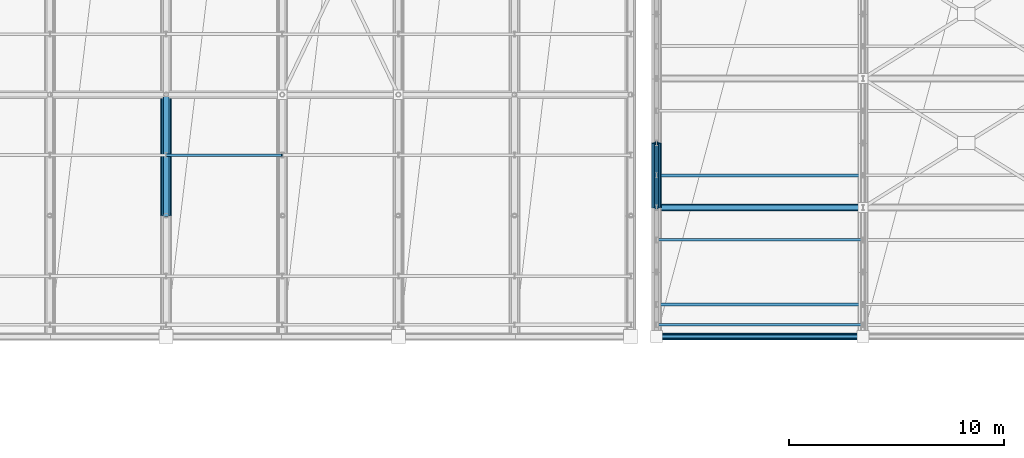
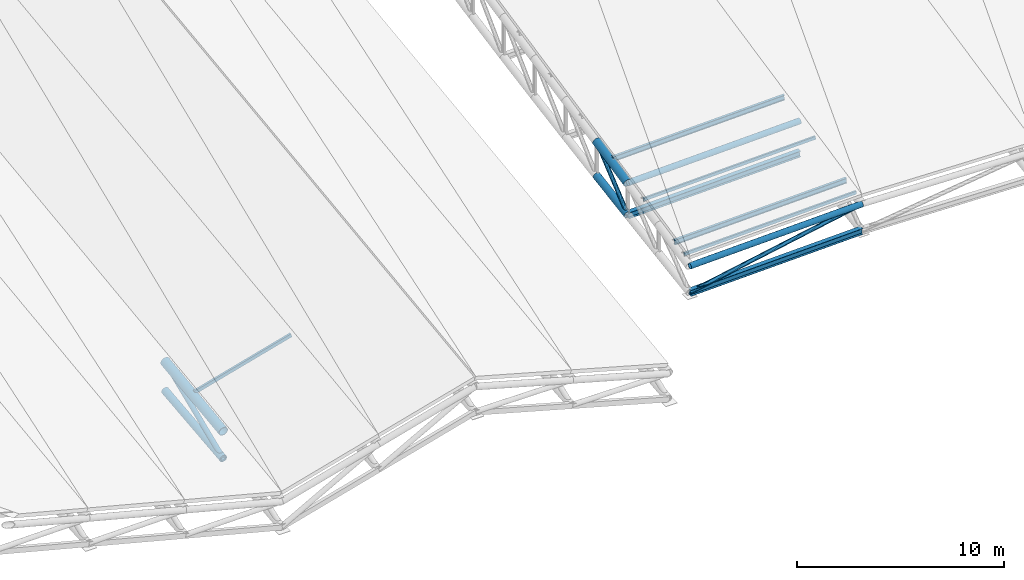
# One storey, part 33 of 109: 12 members, 4 beams.
"""IFC4 building model written with IfcOpenShell, lengths in metres."""

from ifc_helpers import new_model, si_unit, direction, frame, origin, origin_2d, place, context, subcontext, project, spatial, hollow_rectangle, hollow_circle, i_section, extrude, material, material_profile, profile_set, type_object, element, save


model = new_model("IFC4")

# Units and contexts
model_context = context("Model", 3, precision=1e-05, world=origin(), true_north=direction((0.0, 1.0)))
body_context = subcontext(model_context, "Body", "Model", "MODEL_VIEW")
ifc_project = project(units=[si_unit("LENGTHUNIT", "METRE"), si_unit("AREAUNIT", "SQUARE_METRE"), si_unit("VOLUMEUNIT", "CUBIC_METRE"), si_unit("PLANEANGLEUNIT", "RADIAN"), si_unit("MASSUNIT", "GRAM", prefix="KILO")], contexts=[model_context])

# Site, building, storey
site_placement = place(None, origin())
site = spatial("IfcSite", under=ifc_project, at=site_placement, CompositionType="ELEMENT")
building_placement = place(site_placement, origin())
building = spatial("IfcBuilding", under=site, at=building_placement, Name="Suirenkawa Promenade Aquatics Centre", CompositionType="ELEMENT")
storey_placement = place(building_placement, frame((0.0, 0.0, 22.800048828125)))
storey = spatial("IfcBuildingStorey", under=building, at=storey_placement, Name="ROOF", CompositionType="ELEMENT", Elevation=22.800048828125)

# Beams
ifc_material = material(Name="Steel IS 2062 E350 (Grade 350)", Category="steel")
ifc_material_profile_1 = material_profile(ifc_material, hollow_circle(Radius=0.202880859375, WallThickness=0.01806640625, at=origin_2d()), Name="CHS 406x18", Category="steel")
ifc_profile_set_1 = profile_set([ifc_material_profile_1], Name="Steel IS 2062 E350 (Grade 350)")
beam_type_1 = type_object("IfcBeamType", Name="BT-BC-CHS406", PredefinedType="BEAM", material=ifc_profile_set_1)
beam_1_placement = place(storey_placement, frame((133.199951171875, 56.02490234375, -15.880126953125), z_axis=(0.0, 0.99422460669, 0.107319296738), x_axis=(-1.0, 0.0, 0.0)))
element("IfcBeam", 1, at=beam_1_placement, inside=storey, type_object=beam_type_1, Name="ROOF TRUSS V1 bottom chord BC-01 BM-2258", PredefinedType="BEAM", context=body_context, shape_type="SweptSolid", body=[
    extrude(hollow_circle(Radius=0.202880859375, WallThickness=0.01806640625, at=origin_2d()), origin(), (0.0, 0.0, 1.0), 5.65771484375),
])
beam_2_placement = place(storey_placement, frame((156.0, 56.39990234375, -9.692138671875), z_axis=(0.0, 0.987278169946, 0.15900256334), x_axis=(-1.0, 0.0, 0.0)))
element("IfcBeam", 2, at=beam_2_placement, inside=storey, type_object=beam_type_1, Name="ROOF TRUSS V2 bottom chord BC-01 BM-2400", PredefinedType="BEAM", context=body_context, shape_type="SweptSolid", body=[
    extrude(hollow_circle(Radius=0.202880859375, WallThickness=0.01806640625, at=origin_2d()), origin(), (0.0, 0.0, 1.0), 3.03857421875),
])
ifc_material_profile_2 = material_profile(ifc_material, hollow_circle(Radius=0.22900390625, WallThickness=0.02001953125, at=origin_2d()), Name="CHS 458x20", Category="steel")
ifc_profile_set_2 = profile_set([ifc_material_profile_2], Name="Steel IS 2062 E350 (Grade 350)")
beam_type_2 = type_object("IfcBeamType", Name="BT-TC-CHS458", PredefinedType="BEAM", material=ifc_profile_set_2)
beam_3_placement = place(storey_placement, frame((156.0, 56.39990234375, -7.81298828125), z_axis=(0.0, 0.978452518953, 0.206471954886), x_axis=(-1.0, 0.0, 0.0)))
element("IfcBeam", 3, at=beam_3_placement, inside=storey, type_object=beam_type_2, Name="ROOF TRUSS V2 top chord TC-01 BM-2399", PredefinedType="BEAM", context=body_context, shape_type="SweptSolid", body=[
    extrude(hollow_circle(Radius=0.22900390625, WallThickness=0.02001953125, at=origin_2d()), origin(), (0.0, 0.0, 1.0), 3.066162109375),
])
ifc_material_profile_3 = material_profile(ifc_material, hollow_circle(Radius=0.25390625, WallThickness=0.02392578125, at=origin_2d()), Name="CHS 508x24", Category="steel")
ifc_profile_set_3 = profile_set([ifc_material_profile_3], Name="Steel IS 2062 E350 (Grade 350)")
beam_type_3 = type_object("IfcBeamType", Name="BT-TC-CHS508", PredefinedType="BEAM", material=ifc_profile_set_3)
beam_4_placement = place(storey_placement, frame((133.199951171875, 56.02490234375, -14.275146484375), z_axis=(0.0, 0.991793720609, 0.127848409297), x_axis=(-1.0, 0.0, 0.0)))
element("IfcBeam", 4, at=beam_4_placement, inside=storey, type_object=beam_type_3, Name="ROOF TRUSS V1 top chord TC-02 BM-2257", PredefinedType="BEAM", context=body_context, shape_type="SweptSolid", body=[
    extrude(hollow_circle(Radius=0.25390625, WallThickness=0.02392578125, at=origin_2d()), origin(), (0.0, 0.0, 1.0), 5.671630859375),
])

# Members
ifc_material_profile_4 = material_profile(ifc_material, hollow_circle(Radius=0.162109375, WallThickness=0.013916015625, at=origin_2d()), Name="CHS 324x14", Category="steel")
ifc_profile_set_4 = profile_set([ifc_material_profile_4], Name="Steel IS 2062 E350 (Grade 350)")
member_type_1 = type_object("IfcMemberType", Name="MT-CHORD-CHS324", PredefinedType="CHORD", material=ifc_profile_set_4)
for number, where, z_axis, x_axis, name in (
    (5, (156.0, 50.39990234375, -9.080078125), (0.999511927284, 0.0, 0.031239513723), (0.0, 1.0, 0.0), "ROOF TRUSS V2 eave top chord CH-01 MB-1146"),
    (6, (156.0, 56.39990234375, -7.81298828125), (0.999511927284, 0.0, 0.031239513723), (0.0, 1.0, 0.0), "ROOF TRUSS V2 tie chord CH-01 MB-1170"),
):
    element("IfcMember", number, at=place(storey_placement, frame(where, z_axis=z_axis, x_axis=x_axis)), inside=storey, type_object=member_type_1, Name=name, PredefinedType="CHORD", context=body_context, shape_type="SweptSolid", body=[
        extrude(hollow_circle(Radius=0.162109375, WallThickness=0.013916015625, at=origin_2d()), origin(), (0.0, 0.0, 1.0), 9.604736328125),
    ])
ifc_material_profile_5 = material_profile(ifc_material, i_section(OverallWidth=0.25, OverallDepth=0.35009765625, WebThickness=0.010009765625, FlangeThickness=0.011962890625, at=origin_2d()), Name="ISHB 350", Category="steel")
ifc_profile_set_5 = profile_set([ifc_material_profile_5], Name="Steel IS 2062 E350 (Grade 350)")
member_type_2 = type_object("IfcMemberType", Name="MT-CHORD-ISHB350", PredefinedType="CHORD", material=ifc_profile_set_5)
for number, where, z_axis, x_axis, name in (
    (7, (156.0, 50.39990234375, -10.630126953125), (0.999511927284, 0.0, 0.031239513723), (0.0, 1.0, 0.0), "ROOF TRUSS V2 eave bottom chord CH-04 MB-1147"),
    (8, (156.0, 56.39990234375, -9.692138671875), (0.999511927284, 0.0, 0.031239513723), (0.0, 1.0, 0.0), "ROOF TRUSS V2 bottom tie CH-04 MB-1171"),
):
    element("IfcMember", number, at=place(storey_placement, frame(where, z_axis=z_axis, x_axis=x_axis)), inside=storey, type_object=member_type_2, Name=name, PredefinedType="CHORD", context=body_context, shape_type="SweptSolid", body=[
        extrude(i_section(OverallWidth=0.25, OverallDepth=0.35009765625, WebThickness=0.010009765625, FlangeThickness=0.011962890625, at=origin_2d()), origin(), (0.0, 0.0, 1.0), 9.604736328125),
    ])
ifc_material_profile_6 = material_profile(ifc_material, i_section(OverallWidth=0.139892578125, OverallDepth=0.300048828125, WebThickness=0.008056640625, FlangeThickness=0.012939453125, at=origin_2d()), Name="ISMB 300", Category="steel")
ifc_profile_set_6 = profile_set([ifc_material_profile_6], Name="Steel IS 2062 E350 (Grade 350)")
member_type_3 = type_object("IfcMemberType", Name="MT-PURLIN-ISMB300", PredefinedType="PURLIN", material=ifc_profile_set_6)
for number, where, z_axis, x_axis, name in (
    (9, (156.0, 51.89990234375, -8.5771484375), (0.999511927284, 0.0, 0.031239513723), (0.0, 1.0, 0.0), "ROOF TRUSS Roof purlin PU-05 MB-2410"),
    (10, (156.0, 57.89990234375, -7.31005859375), (0.999511927284, 0.0, 0.031239513723), (0.0, 1.0, 0.0), "ROOF TRUSS Roof purlin PU-05 MB-2416"),
):
    element("IfcMember", number, at=place(storey_placement, frame(where, z_axis=z_axis, x_axis=x_axis)), inside=storey, type_object=member_type_3, Name=name, PredefinedType="PURLIN", context=body_context, shape_type="SweptSolid", body=[
        extrude(i_section(OverallWidth=0.139892578125, OverallDepth=0.300048828125, WebThickness=0.008056640625, FlangeThickness=0.012939453125, at=origin_2d()), origin(), (0.0, 0.0, 1.0), 9.604736328125),
    ])
ifc_material_profile_7 = material_profile(ifc_material, hollow_rectangle(XDim=0.10009765625, YDim=0.179931640625, WallThickness=0.008056640625, at=origin_2d()), Name="RHS 180x100x8", Category="steel")
ifc_profile_set_7 = profile_set([ifc_material_profile_7], Name="Steel IS 2062 E350 (Grade 350)")
member_type_4 = type_object("IfcMemberType", Name="MT-PURLIN-RHS180", PredefinedType="PURLIN", material=ifc_profile_set_7)
for number, where, z_axis, x_axis, name in (
    (11, (156.0, 50.949951171875, -8.713134765625), (0.999511927284, 0.0, 0.031239513723), (0.0, 1.0, 0.0), "ROOF TRUSS Roof purlin PU-01 MB-2407"),
    (12, (156.0, 54.89990234375, -7.879150390625), (0.999511927284, 0.0, 0.031239513723), (0.0, 1.0, 0.0), "ROOF TRUSS Roof purlin PU-01 MB-2413"),
):
    element("IfcMember", number, at=place(storey_placement, frame(where, z_axis=z_axis, x_axis=x_axis)), inside=storey, type_object=member_type_4, Name=name, PredefinedType="PURLIN", context=body_context, shape_type="SweptSolid", body=[
        extrude(hollow_rectangle(XDim=0.10009765625, YDim=0.179931640625, WallThickness=0.008056640625, at=origin_2d()), origin(), (0.0, 0.0, 1.0), 9.604736328125),
    ])
ifc_material_profile_8 = material_profile(ifc_material, hollow_rectangle(XDim=0.1201171875, YDim=0.199951171875, WallThickness=0.008056640625, at=origin_2d()), Name="RHS 200x120x8", Category="steel")
ifc_profile_set_8 = profile_set([ifc_material_profile_8], Name="Steel IS 2062 E350 (Grade 350)")
member_type_5 = type_object("IfcMemberType", Name="MT-PURLIN-RHS200", PredefinedType="PURLIN", material=ifc_profile_set_8)
member_1_placement = place(storey_placement, frame((133.199951171875, 58.8369140625, -13.666015625), z_axis=(0.963519781844, 0.0, 0.267637123724), x_axis=(0.0, 1.0, 0.0)))
element("IfcMember", 13, at=member_1_placement, inside=storey, type_object=member_type_5, Name="ROOF TRUSS Roof purlin PU-02 MB-2267", PredefinedType="PURLIN", context=body_context, shape_type="SweptSolid", body=[
    extrude(hollow_rectangle(XDim=0.1201171875, YDim=0.199951171875, WallThickness=0.008056640625, at=origin_2d()), origin(), (0.0, 0.0, 1.0), 5.6044921875),
])
ifc_material_profile_9 = material_profile(ifc_material, hollow_circle(Radius=0.110107421875, WallThickness=0.010009765625, at=origin_2d()), Name="CHS 220x10", Category="steel")
ifc_profile_set_9 = profile_set([ifc_material_profile_9], Name="Steel IS 2062 E350 (Grade 350)")
member_type_6 = type_object("IfcMemberType", Name="MT-WEB-CHS220", PredefinedType="BRACE", material=ifc_profile_set_9)
member_2_placement = place(storey_placement, frame((156.0, 56.39990234375, -9.692138671875), z_axis=(0.0, 0.766684820047, 0.642023665225), x_axis=(-1.0, 0.0, 0.0)))
element("IfcMember", 14, at=member_2_placement, inside=storey, type_object=member_type_6, Name="ROOF TRUSS V2 web diagonal TD-01 MB-0973", PredefinedType="BRACE", context=body_context, shape_type="SweptSolid", body=[
    extrude(hollow_circle(Radius=0.110107421875, WallThickness=0.010009765625, at=origin_2d()), origin(), (0.0, 0.0, 1.0), 3.912841796875),
])
member_3_placement = place(storey_placement, frame((156.0, 50.39990234375, -10.630126953125), z_axis=(0.981931919064, 0.0, 0.189234527304), x_axis=(0.0, 1.0, 0.0)))
element("IfcMember", 15, at=member_3_placement, inside=storey, type_object=member_type_6, Name="ROOF TRUSS V2 eave web diagonal TD-01 MB-1148", PredefinedType="BRACE", context=body_context, shape_type="SweptSolid", body=[
    extrude(hollow_circle(Radius=0.110107421875, WallThickness=0.010009765625, at=origin_2d()), origin(), (0.0, 0.0, 1.0), 9.77685546875),
])
ifc_material_profile_10 = material_profile(ifc_material, hollow_circle(Radius=0.136962890625, WallThickness=0.011962890625, at=origin_2d()), Name="CHS 274x12", Category="steel")
ifc_profile_set_10 = profile_set([ifc_material_profile_10], Name="Steel IS 2062 E350 (Grade 350)")
member_type_7 = type_object("IfcMemberType", Name="MT-WEB-CHS274", PredefinedType="BRACE", material=ifc_profile_set_10)
member_4_placement = place(storey_placement, frame((133.199951171875, 56.02490234375, -15.880126953125), z_axis=(0.0, 0.923872167062, 0.382701213648), x_axis=(-1.0, 0.0, 0.0)))
element("IfcMember", 16, at=member_4_placement, inside=storey, type_object=member_type_7, Name="ROOF TRUSS V1 web diagonal TD-02 MB-0434", PredefinedType="BRACE", context=body_context, shape_type="SweptSolid", body=[
    extrude(hollow_circle(Radius=0.136962890625, WallThickness=0.011962890625, at=origin_2d()), origin(), (0.0, 0.0, 1.0), 6.088623046875),
])

save(model, "model.ifc")
